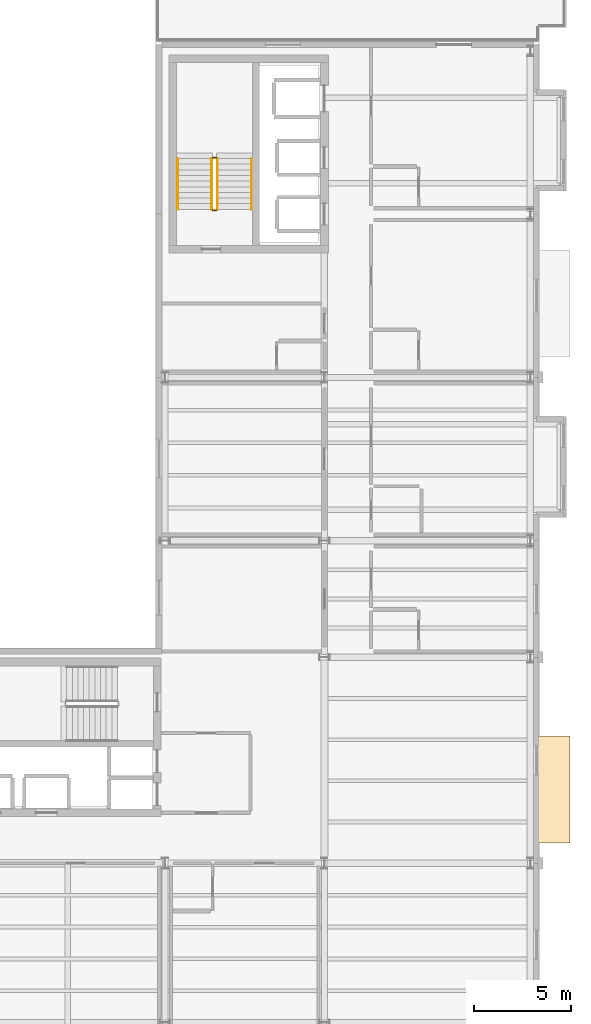
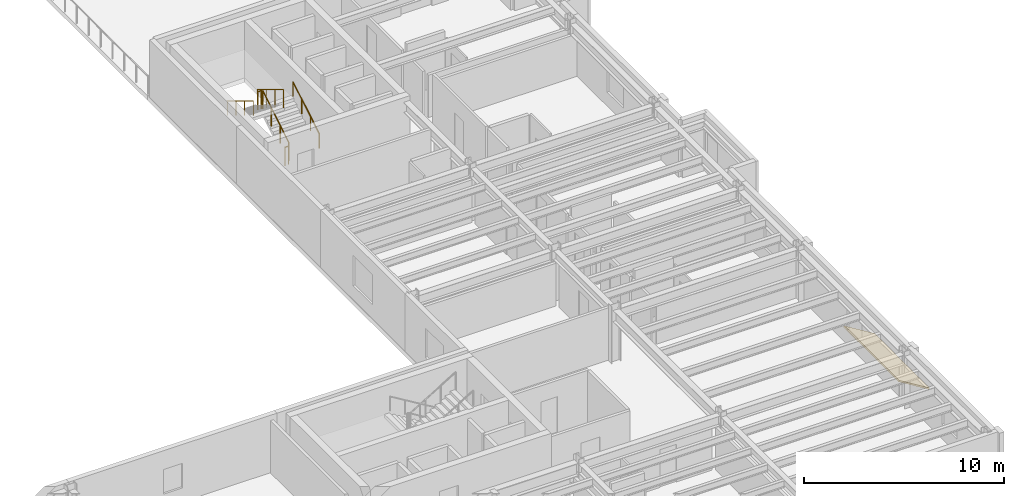
# One storey, part 18 of 19: 6 railings, 1 covering.
"""IFC4 building model written with IfcOpenShell, lengths in metres."""

from ifc_helpers import new_model, si_unit, direction, frame, origin, origin_2d, place, context, subcontext, project, spatial, polyline, circle, outline, extrude, material, layer, layer_set, type_object, element, save


model = new_model("IFC4")

# Units and contexts
model_context = context("Model", 3, precision=1e-05, world=origin(), true_north=direction((0.0, 1.0)))
body_context = subcontext(model_context, "Body", "Model", "MODEL_VIEW")
ifc_project = project(units=[si_unit("LENGTHUNIT", "METRE"), si_unit("AREAUNIT", "SQUARE_METRE"), si_unit("VOLUMEUNIT", "CUBIC_METRE"), si_unit("PLANEANGLEUNIT", "RADIAN"), si_unit("MASSUNIT", "GRAM", prefix="KILO")], contexts=[model_context])

# Site, building, storey
site_placement = place(None, origin())
site = spatial("IfcSite", under=ifc_project, at=site_placement, CompositionType="ELEMENT")
building_placement = place(site_placement, origin())
building = spatial("IfcBuilding", under=site, at=building_placement, Name="Sollismere Congress Hotel", CompositionType="ELEMENT")
storey_placement = place(building_placement, frame((0.0, 0.0, 34.10009765625)))
storey = spatial("IfcBuildingStorey", under=building, at=storey_placement, Name="L08", CompositionType="ELEMENT", Elevation=34.10009765625)

# Covering
ifc_material_1 = material(Name="Standing-Seam Titanium-Zinc Roof Assembly")
ifc_layer = layer(ifc_material_1, 0.054931640625, Name="Standing-Seam Titanium-Zinc Roof Assembly")
ifc_layer_set = layer_set([ifc_layer], Name="Standing-Seam Titanium-Zinc Roof Assembly")
covering_type = type_object("IfcCoveringType", Name="CV-RFZNC", PredefinedType="ROOFING", material=ifc_layer_set)
covering_placement = place(storey_placement, frame((166.258056640625, 9.25, 0.716796875), z_axis=(0.525209771298, 0.0, 0.850972794003), x_axis=(0.850972794003, 0.0, -0.525209771298)))
element("IfcCovering", 1, at=covering_placement, inside=storey, type_object=covering_type, Name="Cikma bay sacak hood SL-CKH-26", PredefinedType="ROOFING", context=body_context, shape_type="SweptSolid", body=[
    extrude(outline(polyline([(0.0, 0.0), (2.056396484375, 0.0), (2.056396484375, 5.5), (0.0, 5.5), (0.0, 0.0)])), origin(), (0.0, 0.0, 1.0), 0.080078125),
])

# Railings
ifc_material_2 = material(Name="Steel ASTM A500 Grade C", Category="steel")
railing_type_1 = type_object("IfcRailingType", Name="RL-GRD112", PredefinedType="GUARDRAIL", material=ifc_material_2)
railing_1_placement = place(storey_placement, frame((149.89990234375, 41.85009765625, 0.1748046875)))
element("IfcRailing", 2, at=railing_1_placement, inside=storey, type_object=railing_type_1, Name="RLG-RG-ST-03-L08-1", PredefinedType="GUARDRAIL", context=body_context, shape_type="SweptSolid", body=[
    extrude(circle(Radius=0.02392578125, at=origin_2d()), frame((0.0, 0.0, 1.09619140625), z_axis=(0.0, 0.856147343639, 0.516731773728), x_axis=(-1.0, 0.0, 0.0)), (0.0, 0.0, 1.0), 3.04833984375),
    extrude(circle(Radius=0.02099609375, at=origin_2d()), origin(), (0.0, 0.0, 1.0), 1.072021484375),
    extrude(circle(Radius=0.02099609375, at=origin_2d()), frame((0.0, 0.869873046875, 0.525146484375)), (0.0, 0.0, 1.0), 1.072021484375),
    extrude(circle(Radius=0.02099609375, at=origin_2d()), frame((0.0, 1.739990234375, 1.050048828125)), (0.0, 0.0, 1.0), 1.072021484375),
    extrude(circle(Radius=0.02099609375, at=origin_2d()), frame((0.0, 2.60986328125, 1.5751953125)), (0.0, 0.0, 1.0), 1.072021484375),
])
railing_2_placement = place(storey_placement, frame((149.85009765625, 44.510009765625, 1.75)))
element("IfcRailing", 3, at=railing_2_placement, inside=storey, type_object=railing_type_1, Name="RLG-RG-ST-03-L08-2", PredefinedType="GUARDRAIL", context=body_context, shape_type="SweptSolid", body=[
    extrude(circle(Radius=0.02392578125, at=origin_2d()), frame((0.0, 0.0, 1.09619140625), z_axis=(-1.0, 0.0, 0.0), x_axis=(0.0, -1.0, 0.0)), (0.0, 0.0, 1.0), 0.2001953125),
    extrude(circle(Radius=0.02099609375, at=origin_2d()), origin(), (0.0, 0.0, 1.0), 1.072021484375),
    extrude(circle(Radius=0.02099609375, at=origin_2d()), frame((-0.2001953125, 0.0, 0.0)), (0.0, 0.0, 1.0), 1.072021484375),
])
railing_3_placement = place(storey_placement, frame((149.60009765625, 44.4599609375, 1.9248046875)))
element("IfcRailing", 4, at=railing_3_placement, inside=storey, type_object=railing_type_1, Name="RLG-RG-ST-03-L08-3", PredefinedType="GUARDRAIL", context=body_context, shape_type="SweptSolid", body=[
    extrude(circle(Radius=0.02392578125, at=origin_2d()), frame((0.0, 0.0, 1.09619140625), z_axis=(0.0, -0.856147343639, 0.516731773728), x_axis=(1.0, 0.0, 0.0)), (0.0, 0.0, 1.0), 3.04833984375),
    extrude(circle(Radius=0.02099609375, at=origin_2d()), origin(), (0.0, 0.0, 1.0), 1.072021484375),
    extrude(circle(Radius=0.02099609375, at=origin_2d()), frame((0.0, -0.869873046875, 0.525146484375)), (0.0, 0.0, 1.0), 1.072021484375),
    extrude(circle(Radius=0.02099609375, at=origin_2d()), frame((0.0, -1.739990234375, 1.050048828125)), (0.0, 0.0, 1.0), 1.072021484375),
    extrude(circle(Radius=0.02099609375, at=origin_2d()), frame((0.0, -2.60986328125, 1.5751953125)), (0.0, 0.0, 1.0), 1.072021484375),
])
railing_4_placement = place(storey_placement, frame((149.85009765625, 41.800048828125, 0.0)))
element("IfcRailing", 5, at=railing_4_placement, inside=storey, type_object=railing_type_1, Name="RLG-RG-ST-03-L08-4", PredefinedType="GUARDRAIL", context=body_context, shape_type="SweptSolid", body=[
    extrude(circle(Radius=0.02392578125, at=origin_2d()), frame((0.0, 0.0, 1.09619140625), z_axis=(-1.0, 0.0, 0.0), x_axis=(0.0, -1.0, 0.0)), (0.0, 0.0, 1.0), 0.2001953125),
    extrude(circle(Radius=0.02099609375, at=origin_2d()), origin(), (0.0, 0.0, 1.0), 1.072021484375),
    extrude(circle(Radius=0.02099609375, at=origin_2d()), frame((-0.2001953125, 0.0, 0.0)), (0.0, 0.0, 1.0), 1.072021484375),
])
ifc_material_3 = material(Name="Brushed Architectural Bronze")
railing_type_2 = type_object("IfcRailingType", Name="RL-HND90", PredefinedType="HANDRAIL", material=ifc_material_3)
railing_5_placement = place(storey_placement, frame((151.64990234375, 41.85009765625, 0.325927734375)))
element("IfcRailing", 6, at=railing_5_placement, inside=storey, type_object=railing_type_2, Name="RLG-RH-ST-03-L08-1", PredefinedType="HANDRAIL", context=body_context, shape_type="SweptSolid", body=[
    extrude(circle(Radius=0.02392578125, at=origin_2d()), frame((0.0, 0.0, 0.8759765625), z_axis=(0.0, 0.85618277418, 0.516673066065), x_axis=(-1.0, 0.0, 0.0)), (0.0, 0.0, 1.0), 3.04833984375),
    extrude(circle(Radius=0.02099609375, at=origin_2d()), origin(), (0.0, 0.0, 1.0), 0.851806640625),
    extrude(circle(Radius=0.02099609375, at=origin_2d()), frame((0.0, 0.869873046875, 0.52490234375)), (0.0, 0.0, 1.0), 0.851806640625),
    extrude(circle(Radius=0.02099609375, at=origin_2d()), frame((0.0, 1.739990234375, 1.050048828125)), (0.0, 0.0, 1.0), 0.851806640625),
    extrude(circle(Radius=0.02099609375, at=origin_2d()), frame((0.0, 2.60986328125, 1.574951171875)), (0.0, 0.0, 1.0), 0.851806640625),
])
railing_6_placement = place(storey_placement, frame((147.85009765625, 44.4599609375, 2.075927734375)))
element("IfcRailing", 7, at=railing_6_placement, inside=storey, type_object=railing_type_2, Name="RLG-RH-ST-03-L08-2", PredefinedType="HANDRAIL", context=body_context, shape_type="SweptSolid", body=[
    extrude(circle(Radius=0.02392578125, at=origin_2d()), frame((0.0, 0.0, 0.8759765625), z_axis=(0.0, -0.85618277418, 0.516673066065), x_axis=(1.0, 0.0, 0.0)), (0.0, 0.0, 1.0), 3.04833984375),
    extrude(circle(Radius=0.02099609375, at=origin_2d()), origin(), (0.0, 0.0, 1.0), 0.851806640625),
    extrude(circle(Radius=0.02099609375, at=origin_2d()), frame((0.0, -0.869873046875, 0.52490234375)), (0.0, 0.0, 1.0), 0.851806640625),
    extrude(circle(Radius=0.02099609375, at=origin_2d()), frame((0.0, -1.739990234375, 1.050048828125)), (0.0, 0.0, 1.0), 0.851806640625),
    extrude(circle(Radius=0.02099609375, at=origin_2d()), frame((0.0, -2.60986328125, 1.574951171875)), (0.0, 0.0, 1.0), 0.851806640625),
])

save(model, "model.ifc")
